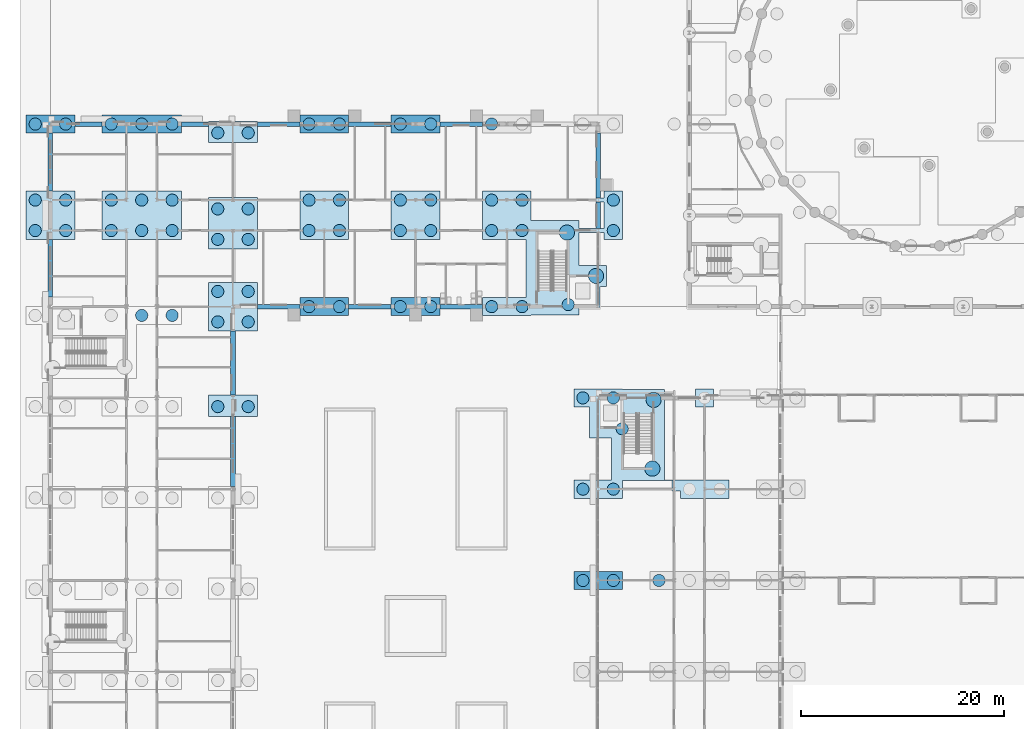
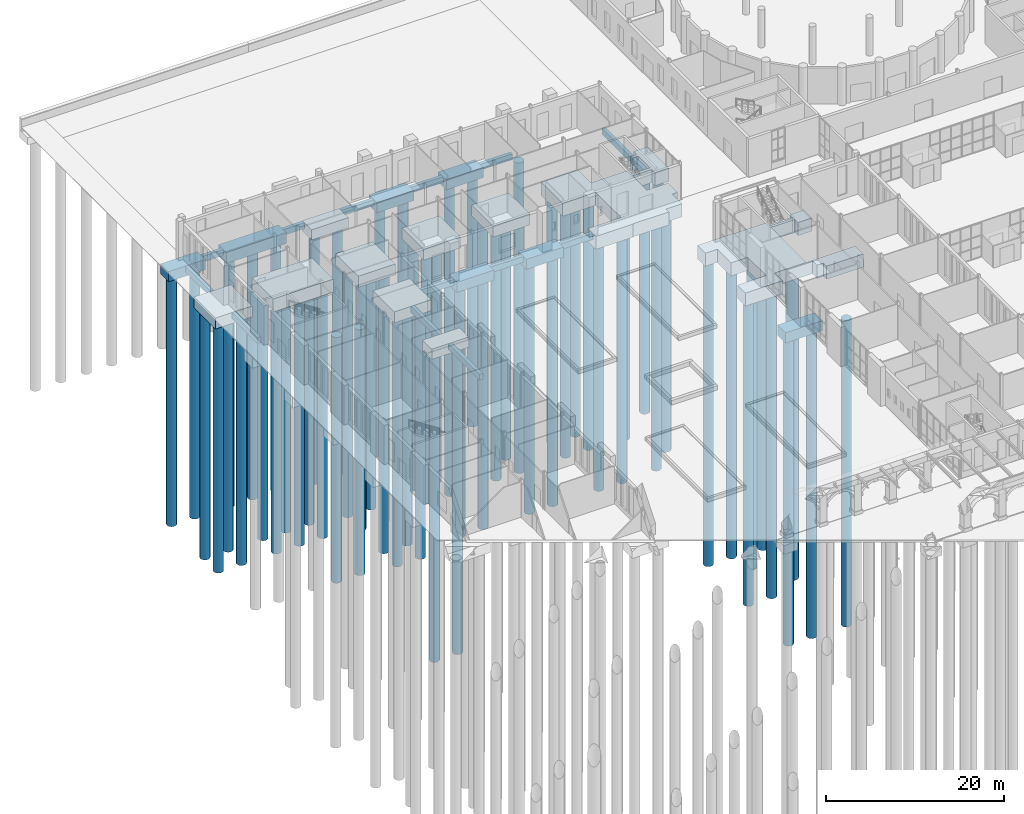
# One storey, part 4 of 168: 67 piles, 31 footings.
"""IFC4 building model written with IfcOpenShell, lengths in metres."""

from ifc_helpers import new_model, si_unit, direction, frame, origin, origin_2d, place, context, subcontext, project, spatial, polyline, circle, outline, extrude, material, material_profile, profile_set, type_object, element, save


model = new_model("IFC4")

# Units and contexts
model_context = context("Model", 3, precision=1e-05, world=origin(), true_north=direction((0.0, 1.0)))
body_context = subcontext(model_context, "Body", "Model", "MODEL_VIEW")
ifc_project = project(units=[si_unit("LENGTHUNIT", "METRE"), si_unit("AREAUNIT", "SQUARE_METRE"), si_unit("VOLUMEUNIT", "CUBIC_METRE"), si_unit("PLANEANGLEUNIT", "RADIAN"), si_unit("MASSUNIT", "GRAM", prefix="KILO")], contexts=[model_context])

# Site, building, storey
site_placement = place(None, origin())
site = spatial("IfcSite", under=ifc_project, at=site_placement, CompositionType="ELEMENT")
building_placement = place(site_placement, origin())
building = spatial("IfcBuilding", under=site, at=building_placement, Name="Golden Quay Civic Hall", CompositionType="ELEMENT")
storey_placement = place(building_placement, origin())
storey = spatial("IfcBuildingStorey", under=building, at=storey_placement, Name="L00", CompositionType="ELEMENT", Elevation=0.0)

# Piles
ifc_material_1 = material(Name="Concrete C40/50", Category="concrete")
ifc_material_profile_1 = material_profile(ifc_material_1, circle(Radius=0.60009765625, at=origin_2d()), Name="RC D1200")
ifc_profile_set_1 = profile_set([ifc_material_profile_1], Name="Concrete C40/50")
pile_type_1 = type_object("IfcPileType", Name="Bored pile 1200", PredefinedType="BORED", material=ifc_profile_set_1)
for number, where, z_axis, x_axis, name in (
    (1, (9.0, 62.134033203125, -2.300048828125), (0.0, 0.0, -1.0), (1.0, 0.0, 0.0), "PL1 bored pile"),
    (2, (12.0, 62.134033203125, -2.300048828125), (0.0, 0.0, -1.0), (1.0, 0.0, 0.0), "PL1 bored pile"),
):
    element("IfcPile", number, at=place(storey_placement, frame(where, z_axis=z_axis, x_axis=x_axis)), inside=storey, type_object=pile_type_1, Name=name, PredefinedType="BORED", context=body_context, shape_type="SweptSolid", body=[
        extrude(circle(Radius=0.60009765625, at=origin_2d()), origin(), (0.0, 0.0, 1.0), 33.699951171875),
    ])
for number, where, z_axis, x_axis, name in (
    (3, (-1.5, 70.5, -2.0), (0.0, 0.0, -1.0), (1.0, 0.0, 0.0), "PL1 bored pile"),
    (4, (-1.5, 73.5, -2.0), (0.0, 0.0, -1.0), (1.0, 0.0, 0.0), "PL1 bored pile"),
    (5, (1.5, 70.5, -2.0), (0.0, 0.0, -1.0), (1.0, 0.0, 0.0), "PL1 bored pile"),
    (6, (1.5, 73.5, -2.0), (0.0, 0.0, -1.0), (1.0, 0.0, 0.0), "PL1 bored pile"),
):
    element("IfcPile", number, at=place(storey_placement, frame(where, z_axis=z_axis, x_axis=x_axis)), inside=storey, type_object=pile_type_1, Name=name, PredefinedType="BORED", context=body_context, shape_type="SweptSolid", body=[
        extrude(circle(Radius=0.60009765625, at=origin_2d()), origin(), (0.0, 0.0, 1.0), 34.0),
    ])
for number, where, z_axis, x_axis, name in (
    (7, (-1.5, 81.0, -1.89990234375), (0.0, 0.0, -1.0), (1.0, 0.0, 0.0), "PL1 bored pile"),
    (8, (1.5, 81.0, -1.89990234375), (0.0, 0.0, -1.0), (1.0, 0.0, 0.0), "PL1 bored pile"),
):
    element("IfcPile", number, at=place(storey_placement, frame(where, z_axis=z_axis, x_axis=x_axis)), inside=storey, type_object=pile_type_1, Name=name, PredefinedType="BORED", context=body_context, shape_type="SweptSolid", body=[
        extrude(circle(Radius=0.60009765625, at=origin_2d()), origin(), (0.0, 0.0, 1.0), 34.10009765625),
    ])
for number, where, z_axis, x_axis, name in (
    (9, (6.0, 70.5, -2.300048828125), (0.0, 0.0, -1.0), (1.0, 0.0, 0.0), "PL1 bored pile"),
    (10, (6.0, 73.5, -2.300048828125), (0.0, 0.0, -1.0), (1.0, 0.0, 0.0), "PL1 bored pile"),
    (11, (9.0, 70.5, -2.300048828125), (0.0, 0.0, -1.0), (1.0, 0.0, 0.0), "PL1 bored pile"),
    (12, (9.0, 73.5, -2.300048828125), (0.0, 0.0, -1.0), (1.0, 0.0, 0.0), "PL1 bored pile"),
    (13, (12.0, 70.5, -2.300048828125), (0.0, 0.0, -1.0), (1.0, 0.0, 0.0), "PL1 bored pile"),
    (14, (12.0, 73.5, -2.300048828125), (0.0, 0.0, -1.0), (1.0, 0.0, 0.0), "PL1 bored pile"),
):
    element("IfcPile", number, at=place(storey_placement, frame(where, z_axis=z_axis, x_axis=x_axis)), inside=storey, type_object=pile_type_1, Name=name, PredefinedType="BORED", context=body_context, shape_type="SweptSolid", body=[
        extrude(circle(Radius=0.60009765625, at=origin_2d()), origin(), (0.0, 0.0, 1.0), 33.699951171875),
    ])
for number, where, z_axis, x_axis, name in (
    (15, (6.0, 81.0, -2.0), (0.0, 0.0, -1.0), (1.0, 0.0, 0.0), "PL1 bored pile"),
    (16, (9.0, 81.0, -2.0), (0.0, 0.0, -1.0), (1.0, 0.0, 0.0), "PL1 bored pile"),
    (17, (12.0, 81.0, -2.0), (0.0, 0.0, -1.0), (1.0, 0.0, 0.0), "PL1 bored pile"),
):
    element("IfcPile", number, at=place(storey_placement, frame(where, z_axis=z_axis, x_axis=x_axis)), inside=storey, type_object=pile_type_1, Name=name, PredefinedType="BORED", context=body_context, shape_type="SweptSolid", body=[
        extrude(circle(Radius=0.60009765625, at=origin_2d()), origin(), (0.0, 0.0, 1.0), 34.0),
    ])
for number, where, z_axis, x_axis, name in (
    (18, (16.5, 53.134033203125, -1.89990234375), (0.0, 0.0, -1.0), (1.0, 0.0, 0.0), "PL1 bored pile"),
    (19, (19.5, 53.134033203125, -1.89990234375), (0.0, 0.0, -1.0), (1.0, 0.0, 0.0), "PL1 bored pile"),
):
    element("IfcPile", number, at=place(storey_placement, frame(where, z_axis=z_axis, x_axis=x_axis)), inside=storey, type_object=pile_type_1, Name=name, PredefinedType="BORED", context=body_context, shape_type="SweptSolid", body=[
        extrude(circle(Radius=0.60009765625, at=origin_2d()), origin(), (0.0, 0.0, 1.0), 42.10009765625),
    ])
for number, where, z_axis, x_axis, name in (
    (20, (16.5, 61.5, -2.0), (0.0, 0.0, -1.0), (1.0, 0.0, 0.0), "PL1 bored pile"),
    (21, (16.5, 64.5, -2.0), (0.0, 0.0, -1.0), (1.0, 0.0, 0.0), "PL1 bored pile"),
    (22, (19.5, 61.5, -2.0), (0.0, 0.0, -1.0), (1.0, 0.0, 0.0), "PL1 bored pile"),
    (23, (19.5, 64.5, -2.0), (0.0, 0.0, -1.0), (1.0, 0.0, 0.0), "PL1 bored pile"),
    (24, (16.5, 69.634033203125, -2.0), (0.0, 0.0, -1.0), (1.0, 0.0, 0.0), "PL1 bored pile"),
    (25, (16.5, 72.634033203125, -2.0), (0.0, 0.0, -1.0), (1.0, 0.0, 0.0), "PL1 bored pile"),
    (26, (19.5, 69.634033203125, -2.0), (0.0, 0.0, -1.0), (1.0, 0.0, 0.0), "PL1 bored pile"),
    (27, (19.5, 72.634033203125, -2.0), (0.0, 0.0, -1.0), (1.0, 0.0, 0.0), "PL1 bored pile"),
):
    element("IfcPile", number, at=place(storey_placement, frame(where, z_axis=z_axis, x_axis=x_axis)), inside=storey, type_object=pile_type_1, Name=name, PredefinedType="BORED", context=body_context, shape_type="SweptSolid", body=[
        extrude(circle(Radius=0.60009765625, at=origin_2d()), origin(), (0.0, 0.0, 1.0), 34.0),
    ])
for number, where, z_axis, x_axis, name in (
    (28, (16.5, 80.134033203125, -1.89990234375), (0.0, 0.0, -1.0), (1.0, 0.0, 0.0), "PL1 bored pile"),
    (29, (19.5, 80.134033203125, -1.89990234375), (0.0, 0.0, -1.0), (1.0, 0.0, 0.0), "PL1 bored pile"),
    (30, (25.5, 63.0, -1.89990234375), (0.0, 0.0, -1.0), (1.0, 0.0, 0.0), "PL1 bored pile"),
    (31, (28.5, 63.0, -1.89990234375), (0.0, 0.0, -1.0), (1.0, 0.0, 0.0), "PL1 bored pile"),
):
    element("IfcPile", number, at=place(storey_placement, frame(where, z_axis=z_axis, x_axis=x_axis)), inside=storey, type_object=pile_type_1, Name=name, PredefinedType="BORED", context=body_context, shape_type="SweptSolid", body=[
        extrude(circle(Radius=0.60009765625, at=origin_2d()), origin(), (0.0, 0.0, 1.0), 34.10009765625),
    ])
for number, where, z_axis, x_axis, name in (
    (32, (25.5, 70.5, -2.0), (0.0, 0.0, -1.0), (1.0, 0.0, 0.0), "PL1 bored pile"),
    (33, (25.5, 73.5, -2.0), (0.0, 0.0, -1.0), (1.0, 0.0, 0.0), "PL1 bored pile"),
    (34, (28.5, 70.5, -2.0), (0.0, 0.0, -1.0), (1.0, 0.0, 0.0), "PL1 bored pile"),
    (35, (28.5, 73.5, -2.0), (0.0, 0.0, -1.0), (1.0, 0.0, 0.0), "PL1 bored pile"),
):
    element("IfcPile", number, at=place(storey_placement, frame(where, z_axis=z_axis, x_axis=x_axis)), inside=storey, type_object=pile_type_1, Name=name, PredefinedType="BORED", context=body_context, shape_type="SweptSolid", body=[
        extrude(circle(Radius=0.60009765625, at=origin_2d()), origin(), (0.0, 0.0, 1.0), 34.0),
    ])
for number, where, z_axis, x_axis, name in (
    (36, (25.5, 81.0, -1.89990234375), (0.0, 0.0, -1.0), (1.0, 0.0, 0.0), "PL1 bored pile"),
    (37, (28.5, 81.0, -1.89990234375), (0.0, 0.0, -1.0), (1.0, 0.0, 0.0), "PL1 bored pile"),
    (38, (34.5, 63.0, -1.89990234375), (0.0, 0.0, -1.0), (1.0, 0.0, 0.0), "PL1 bored pile"),
    (39, (37.5, 63.0, -1.89990234375), (0.0, 0.0, -1.0), (1.0, 0.0, 0.0), "PL1 bored pile"),
):
    element("IfcPile", number, at=place(storey_placement, frame(where, z_axis=z_axis, x_axis=x_axis)), inside=storey, type_object=pile_type_1, Name=name, PredefinedType="BORED", context=body_context, shape_type="SweptSolid", body=[
        extrude(circle(Radius=0.60009765625, at=origin_2d()), origin(), (0.0, 0.0, 1.0), 34.10009765625),
    ])
for number, where, z_axis, x_axis, name in (
    (40, (34.5, 70.5, -2.0), (0.0, 0.0, -1.0), (1.0, 0.0, 0.0), "PL1 bored pile"),
    (41, (34.5, 73.5, -2.0), (0.0, 0.0, -1.0), (1.0, 0.0, 0.0), "PL1 bored pile"),
    (42, (37.5, 70.5, -2.0), (0.0, 0.0, -1.0), (1.0, 0.0, 0.0), "PL1 bored pile"),
    (43, (37.5, 73.5, -2.0), (0.0, 0.0, -1.0), (1.0, 0.0, 0.0), "PL1 bored pile"),
):
    element("IfcPile", number, at=place(storey_placement, frame(where, z_axis=z_axis, x_axis=x_axis)), inside=storey, type_object=pile_type_1, Name=name, PredefinedType="BORED", context=body_context, shape_type="SweptSolid", body=[
        extrude(circle(Radius=0.60009765625, at=origin_2d()), origin(), (0.0, 0.0, 1.0), 34.0),
    ])
for number, where, z_axis, x_axis, name in (
    (44, (34.5, 81.0, -1.89990234375), (0.0, 0.0, -1.0), (1.0, 0.0, 0.0), "PL1 bored pile"),
    (45, (37.5, 81.0, -1.89990234375), (0.0, 0.0, -1.0), (1.0, 0.0, 0.0), "PL1 bored pile"),
):
    element("IfcPile", number, at=place(storey_placement, frame(where, z_axis=z_axis, x_axis=x_axis)), inside=storey, type_object=pile_type_1, Name=name, PredefinedType="BORED", context=body_context, shape_type="SweptSolid", body=[
        extrude(circle(Radius=0.60009765625, at=origin_2d()), origin(), (0.0, 0.0, 1.0), 34.10009765625),
    ])
for number, where, z_axis, x_axis, name in (
    (46, (43.5, 63.0, -2.300048828125), (0.0, 0.0, -1.0), (1.0, 0.0, 0.0), "PL1 bored pile"),
    (47, (43.5, 70.5, -2.300048828125), (0.0, 0.0, -1.0), (1.0, 0.0, 0.0), "PL1 bored pile"),
    (48, (43.5, 73.5, -2.300048828125), (0.0, 0.0, -1.0), (1.0, 0.0, 0.0), "PL1 bored pile"),
    (49, (46.5, 63.0, -2.300048828125), (0.0, 0.0, -1.0), (1.0, 0.0, 0.0), "PL1 bored pile"),
    (50, (46.5, 70.5, -2.300048828125), (0.0, 0.0, -1.0), (1.0, 0.0, 0.0), "PL1 bored pile"),
    (51, (46.5, 73.5, -2.300048828125), (0.0, 0.0, -1.0), (1.0, 0.0, 0.0), "PL1 bored pile"),
    (52, (51.050048828125, 63.199951171875, -2.300048828125), (0.0, 0.0, -1.0), (1.0, 0.0, 0.0), "PL1 bored pile"),
    (53, (55.5, 70.5, -2.300048828125), (0.0, 0.0, -1.0), (1.0, 0.0, 0.0), "PL1 bored pile"),
    (54, (55.5, 73.5, -2.300048828125), (0.0, 0.0, -1.0), (1.0, 0.0, 0.0), "PL1 bored pile"),
):
    element("IfcPile", number, at=place(storey_placement, frame(where, z_axis=z_axis, x_axis=x_axis)), inside=storey, type_object=pile_type_1, Name=name, PredefinedType="BORED", context=body_context, shape_type="SweptSolid", body=[
        extrude(circle(Radius=0.60009765625, at=origin_2d()), origin(), (0.0, 0.0, 1.0), 33.699951171875),
    ])
pile_1_placement = place(storey_placement, frame((43.5, 81.0, -1.89990234375), z_axis=(0.0, 0.0, -1.0), x_axis=(1.0, 0.0, 0.0)))
element("IfcPile", 55, at=pile_1_placement, inside=storey, type_object=pile_type_1, Name="PL1 bored pile", PredefinedType="BORED", context=body_context, shape_type="SweptSolid", body=[
    extrude(circle(Radius=0.60009765625, at=origin_2d()), origin(), (0.0, 0.0, 1.0), 34.10009765625),
])
for number, where, z_axis, x_axis, name in (
    (56, (52.5, 36.0, -1.89990234375), (0.0, 0.0, -1.0), (1.0, 0.0, 0.0), "PL1 bored pile"),
    (57, (55.5, 36.0, -1.89990234375), (0.0, 0.0, -1.0), (1.0, 0.0, 0.0), "PL1 bored pile"),
):
    element("IfcPile", number, at=place(storey_placement, frame(where, z_axis=z_axis, x_axis=x_axis)), inside=storey, type_object=pile_type_1, Name=name, PredefinedType="BORED", context=body_context, shape_type="SweptSolid", body=[
        extrude(circle(Radius=0.60009765625, at=origin_2d()), origin(), (0.0, 0.0, 1.0), 42.10009765625),
    ])
for number, where, z_axis, x_axis, name in (
    (58, (52.5, 45.0, -2.300048828125), (0.0, 0.0, -1.0), (1.0, 0.0, 0.0), "PL1 bored pile"),
    (59, (52.5, 54.0, -2.300048828125), (0.0, 0.0, -1.0), (1.0, 0.0, 0.0), "PL1 bored pile"),
    (60, (55.5, 45.0, -2.300048828125), (0.0, 0.0, -1.0), (1.0, 0.0, 0.0), "PL1 bored pile"),
    (61, (55.5, 54.0, -2.300048828125), (0.0, 0.0, -1.0), (1.0, 0.0, 0.0), "PL1 bored pile"),
    (62, (56.375, 50.949951171875, -2.300048828125), (0.0, 0.0, -1.0), (1.0, 0.0, 0.0), "PL1 bored pile"),
):
    element("IfcPile", number, at=place(storey_placement, frame(where, z_axis=z_axis, x_axis=x_axis)), inside=storey, type_object=pile_type_1, Name=name, PredefinedType="BORED", context=body_context, shape_type="SweptSolid", body=[
        extrude(circle(Radius=0.60009765625, at=origin_2d()), origin(), (0.0, 0.0, 1.0), 41.699951171875),
    ])
pile_2_placement = place(storey_placement, frame((60.0, 36.0, -2.0), z_axis=(0.0, 0.0, -1.0), x_axis=(1.0, 0.0, 0.0)))
element("IfcPile", 63, at=pile_2_placement, inside=storey, type_object=pile_type_1, Name="PL1 bored pile", PredefinedType="BORED", context=body_context, shape_type="SweptSolid", body=[
    extrude(circle(Radius=0.60009765625, at=origin_2d()), origin(), (0.0, 0.0, 1.0), 42.0),
])
ifc_material_2 = material(Name="Concrete C40/50", Category="concrete")
ifc_material_profile_2 = material_profile(ifc_material_2, circle(Radius=0.75, at=origin_2d()), Name="RC D1500")
ifc_profile_set_2 = profile_set([ifc_material_profile_2], Name="Concrete C40/50")
pile_type_2 = type_object("IfcPileType", Name="Bored pile 1500", PredefinedType="BORED", material=ifc_profile_set_2)
for number, where, z_axis, x_axis, name in (
    (64, (50.925048828125, 70.300048828125, -2.300048828125), (0.0, 0.0, -1.0), (1.0, 0.0, 0.0), "PL2 bored pile"),
    (65, (53.800048828125, 66.02490234375, -2.300048828125), (0.0, 0.0, -1.0), (1.0, 0.0, 0.0), "PL2 bored pile"),
):
    element("IfcPile", number, at=place(storey_placement, frame(where, z_axis=z_axis, x_axis=x_axis)), inside=storey, type_object=pile_type_2, Name=name, PredefinedType="BORED", context=body_context, shape_type="SweptSolid", body=[
        extrude(circle(Radius=0.75, at=origin_2d()), origin(), (0.0, 0.0, 1.0), 33.699951171875),
    ])
for number, where, z_axis, x_axis, name in (
    (66, (59.35009765625, 47.02490234375, -2.300048828125), (0.0, 0.0, -1.0), (1.0, 0.0, 0.0), "PL2 bored pile"),
    (67, (59.47509765625, 53.800048828125, -2.300048828125), (0.0, 0.0, -1.0), (1.0, 0.0, 0.0), "PL2 bored pile"),
):
    element("IfcPile", number, at=place(storey_placement, frame(where, z_axis=z_axis, x_axis=x_axis)), inside=storey, type_object=pile_type_2, Name=name, PredefinedType="BORED", context=body_context, shape_type="SweptSolid", body=[
        extrude(circle(Radius=0.75, at=origin_2d()), origin(), (0.0, 0.0, 1.0), 41.699951171875),
    ])

# Footings
ifc_material_3 = material(Name="Concrete C40/50", Category="concrete")
footing_type_1 = type_object("IfcFootingType", Name="Ground beam 450 x 800", PredefinedType="FOOTING_BEAM", material=ifc_material_3)
footing_1_placement = place(storey_placement, frame((0.0, 0.0, -1.39990234375)))
element("IfcFooting", 68, at=footing_1_placement, inside=storey, type_object=footing_type_1, Name="F15 ground beam", PredefinedType="FOOTING_BEAM", context=body_context, shape_type="SweptSolid", body=[
    extrude(outline(polyline([(54.22509765625, 70.699951171875), (53.77490234375, 70.699951171875), (53.77490234375, 73.300048828125), (54.22509765625, 73.300048828125), (54.22509765625, 70.699951171875)])), origin(), (0.0, 0.0, 1.0), 0.7998046875),
])
footing_2_placement = place(storey_placement, frame((0.0, 0.0, -1.39990234375)))
element("IfcFooting", 69, at=footing_2_placement, inside=storey, type_object=footing_type_1, Name="F15 ground beam", PredefinedType="FOOTING_BEAM", context=body_context, shape_type="SweptSolid", body=[
    extrude(outline(polyline([(54.22509765625, 73.699951171875), (53.77490234375, 73.699951171875), (53.77490234375, 80.10009765625), (54.22509765625, 80.10009765625), (54.22509765625, 73.699951171875)])), origin(), (0.0, 0.0, 1.0), 0.7998046875),
])
footing_3_placement = place(storey_placement, frame((0.0, 0.0, -1.39990234375)))
element("IfcFooting", 70, at=footing_3_placement, inside=storey, type_object=footing_type_1, Name="F15 ground beam", PredefinedType="FOOTING_BEAM", context=body_context, shape_type="SweptSolid", body=[
    extrude(outline(polyline([(24.60009765625, 81.22509765625), (24.60009765625, 80.77490234375), (20.39990234375, 80.77490234375), (20.39990234375, 81.22509765625), (24.60009765625, 81.22509765625)])), origin(), (0.0, 0.0, 1.0), 0.7998046875),
])
footing_4_placement = place(storey_placement, frame((0.0, 0.0, -1.39990234375)))
element("IfcFooting", 71, at=footing_4_placement, inside=storey, type_object=footing_type_1, Name="F15 ground beam", PredefinedType="FOOTING_BEAM", context=body_context, shape_type="SweptSolid", body=[
    extrude(outline(polyline([(33.60009765625, 81.22509765625), (33.60009765625, 80.77490234375), (29.39990234375, 80.77490234375), (29.39990234375, 81.22509765625), (33.60009765625, 81.22509765625)])), origin(), (0.0, 0.0, 1.0), 0.7998046875),
])
footing_5_placement = place(storey_placement, frame((0.0, 0.0, -1.39990234375)))
element("IfcFooting", 72, at=footing_5_placement, inside=storey, type_object=footing_type_1, Name="F15 ground beam", PredefinedType="FOOTING_BEAM", context=body_context, shape_type="SweptSolid", body=[
    extrude(outline(polyline([(42.60009765625, 81.22509765625), (42.60009765625, 80.77490234375), (38.39990234375, 80.77490234375), (38.39990234375, 81.22509765625), (42.60009765625, 81.22509765625)])), origin(), (0.0, 0.0, 1.0), 0.7998046875),
])
footing_6_placement = place(storey_placement, frame((0.0, 0.0, -1.39990234375)))
element("IfcFooting", 73, at=footing_6_placement, inside=storey, type_object=footing_type_1, Name="F15 ground beam", PredefinedType="FOOTING_BEAM", context=body_context, shape_type="SweptSolid", body=[
    extrude(outline(polyline([(20.39990234375, 62.77490234375), (20.39990234375, 63.22509765625), (24.60009765625, 63.22509765625), (24.60009765625, 62.77490234375), (20.39990234375, 62.77490234375)])), origin(), (0.0, 0.0, 1.0), 0.7998046875),
])
footing_7_placement = place(storey_placement, frame((0.0, 0.0, -1.39990234375)))
element("IfcFooting", 74, at=footing_7_placement, inside=storey, type_object=footing_type_1, Name="F15 ground beam", PredefinedType="FOOTING_BEAM", context=body_context, shape_type="SweptSolid", body=[
    extrude(outline(polyline([(29.39990234375, 62.77490234375), (29.39990234375, 63.22509765625), (33.60009765625, 63.22509765625), (33.60009765625, 62.77490234375), (29.39990234375, 62.77490234375)])), origin(), (0.0, 0.0, 1.0), 0.7998046875),
])
footing_8_placement = place(storey_placement, frame((0.0, 0.0, -1.39990234375)))
element("IfcFooting", 75, at=footing_8_placement, inside=storey, type_object=footing_type_1, Name="F15 ground beam", PredefinedType="FOOTING_BEAM", context=body_context, shape_type="SweptSolid", body=[
    extrude(outline(polyline([(38.39990234375, 62.77490234375), (38.39990234375, 63.22509765625), (42.60009765625, 63.22509765625), (42.60009765625, 62.77490234375), (38.39990234375, 62.77490234375)])), origin(), (0.0, 0.0, 1.0), 0.7998046875),
])
footing_9_placement = place(storey_placement, frame((0.0, 0.0, -1.39990234375)))
element("IfcFooting", 76, at=footing_9_placement, inside=storey, type_object=footing_type_1, Name="F15 ground beam", PredefinedType="FOOTING_BEAM", context=body_context, shape_type="SweptSolid", body=[
    extrude(outline(polyline([(18.22509765625, 45.26708984375), (17.77490234375, 45.26708984375), (17.77490234375, 52.1669921875), (18.22509765625, 52.1669921875), (18.22509765625, 45.26708984375)])), origin(), (0.0, 0.0, 1.0), 0.7998046875),
])
footing_10_placement = place(storey_placement, frame((0.0, 0.0, -1.39990234375)))
element("IfcFooting", 77, at=footing_10_placement, inside=storey, type_object=footing_type_1, Name="F15 ground beam", PredefinedType="FOOTING_BEAM", context=body_context, shape_type="SweptSolid", body=[
    extrude(outline(polyline([(18.22509765625, 54.26708984375), (17.77490234375, 54.26708984375), (17.77490234375, 60.60009765625), (18.22509765625, 60.60009765625), (18.22509765625, 54.26708984375)])), origin(), (0.0, 0.0, 1.0), 0.7998046875),
])
footing_11_placement = place(storey_placement, frame((0.0, 0.0, -1.39990234375)))
element("IfcFooting", 78, at=footing_11_placement, inside=storey, type_object=footing_type_1, Name="F15 ground beam", PredefinedType="FOOTING_BEAM", context=body_context, shape_type="SweptSolid", body=[
    extrude(outline(polyline([(5.10009765625, 81.22509765625), (5.10009765625, 80.77490234375), (2.39990234375, 80.77490234375), (2.39990234375, 81.22509765625), (5.10009765625, 81.22509765625)])), origin(), (0.0, 0.0, 1.0), 0.7998046875),
])
footing_12_placement = place(storey_placement, frame((0.0, 0.0, -1.39990234375)))
element("IfcFooting", 79, at=footing_12_placement, inside=storey, type_object=footing_type_1, Name="F15 ground beam", PredefinedType="FOOTING_BEAM", context=body_context, shape_type="SweptSolid", body=[
    extrude(outline(polyline([(15.60009765625, 81.22509765625), (15.60009765625, 80.77490234375), (12.89990234375, 80.77490234375), (12.89990234375, 81.22509765625), (15.60009765625, 81.22509765625)])), origin(), (0.0, 0.0, 1.0), 0.7998046875),
])
footing_13_placement = place(storey_placement, frame((0.0, 0.0, -1.39990234375)))
element("IfcFooting", 80, at=footing_13_placement, inside=storey, type_object=footing_type_1, Name="F15 ground beam", PredefinedType="FOOTING_BEAM", context=body_context, shape_type="SweptSolid", body=[
    extrude(outline(polyline([(-0.22509765625, 69.60009765625), (0.22509765625, 69.60009765625), (0.22509765625, 63.949951171875), (-0.22509765625, 63.949951171875), (-0.22509765625, 69.60009765625)])), origin(), (0.0, 0.0, 1.0), 0.7998046875),
])
footing_14_placement = place(storey_placement, frame((0.0, 0.0, -1.39990234375)))
element("IfcFooting", 81, at=footing_14_placement, inside=storey, type_object=footing_type_1, Name="F15 ground beam", PredefinedType="FOOTING_BEAM", context=body_context, shape_type="SweptSolid", body=[
    extrude(outline(polyline([(-0.22509765625, 80.10009765625), (0.22509765625, 80.10009765625), (0.22509765625, 74.39990234375), (-0.22509765625, 74.39990234375), (-0.22509765625, 80.10009765625)])), origin(), (0.0, 0.0, 1.0), 0.7998046875),
])
ifc_material_4 = material(Name="Concrete C40/50", Category="concrete")
footing_type_2 = type_object("IfcFootingType", Name="Pile cap 2 piles 4800 x 1800 x 1400", PredefinedType="PILE_CAP", material=ifc_material_4)
footing_15_placement = place(storey_placement, frame((0.0, 0.0, -2.0)))
element("IfcFooting", 82, at=footing_15_placement, inside=storey, type_object=footing_type_2, Name="F4 pile cap", PredefinedType="PILE_CAP", context=body_context, shape_type="SweptSolid", body=[
    extrude(outline(polyline([(2.39990234375, 80.10009765625), (2.39990234375, 81.89990234375), (-2.39990234375, 81.89990234375), (-2.39990234375, 80.10009765625), (2.39990234375, 80.10009765625)])), origin(), (0.0, 0.0, 1.0), 1.39990234375),
])
footing_16_placement = place(storey_placement, frame((0.0, 0.0, -2.0)))
element("IfcFooting", 83, at=footing_16_placement, inside=storey, type_object=footing_type_2, Name="F4 pile cap", PredefinedType="PILE_CAP", context=body_context, shape_type="SweptSolid", body=[
    extrude(outline(polyline([(29.39990234375, 62.10009765625), (29.39990234375, 63.89990234375), (24.60009765625, 63.89990234375), (24.60009765625, 62.10009765625), (29.39990234375, 62.10009765625)])), origin(), (0.0, 0.0, 1.0), 1.39990234375),
])
footing_17_placement = place(storey_placement, frame((0.0, 0.0, -2.0)))
element("IfcFooting", 84, at=footing_17_placement, inside=storey, type_object=footing_type_2, Name="F4 pile cap", PredefinedType="PILE_CAP", context=body_context, shape_type="SweptSolid", body=[
    extrude(outline(polyline([(29.39990234375, 80.10009765625), (29.39990234375, 81.89990234375), (24.60009765625, 81.89990234375), (24.60009765625, 80.10009765625), (29.39990234375, 80.10009765625)])), origin(), (0.0, 0.0, 1.0), 1.39990234375),
])
footing_18_placement = place(storey_placement, frame((0.0, 0.0, -2.0)))
element("IfcFooting", 85, at=footing_18_placement, inside=storey, type_object=footing_type_2, Name="F4 pile cap", PredefinedType="PILE_CAP", context=body_context, shape_type="SweptSolid", body=[
    extrude(outline(polyline([(38.39990234375, 62.10009765625), (38.39990234375, 63.89990234375), (33.60009765625, 63.89990234375), (33.60009765625, 62.10009765625), (38.39990234375, 62.10009765625)])), origin(), (0.0, 0.0, 1.0), 1.39990234375),
])
footing_19_placement = place(storey_placement, frame((0.0, 0.0, -2.0)))
element("IfcFooting", 86, at=footing_19_placement, inside=storey, type_object=footing_type_2, Name="F4 pile cap", PredefinedType="PILE_CAP", context=body_context, shape_type="SweptSolid", body=[
    extrude(outline(polyline([(38.39990234375, 80.10009765625), (38.39990234375, 81.89990234375), (33.60009765625, 81.89990234375), (33.60009765625, 80.10009765625), (38.39990234375, 80.10009765625)])), origin(), (0.0, 0.0, 1.0), 1.39990234375),
])
footing_20_placement = place(storey_placement, frame((0.0, 0.0, -2.0)))
element("IfcFooting", 87, at=footing_20_placement, inside=storey, type_object=footing_type_2, Name="F4 pile cap", PredefinedType="PILE_CAP", context=body_context, shape_type="SweptSolid", body=[
    extrude(outline(polyline([(56.39990234375, 35.10009765625), (56.39990234375, 36.89990234375), (51.60009765625, 36.89990234375), (51.60009765625, 35.10009765625), (56.39990234375, 35.10009765625)])), origin(), (0.0, 0.0, 1.0), 1.39990234375),
])
ifc_material_5 = material(Name="Concrete C40/50", Category="concrete")
footing_type_3 = type_object("IfcFootingType", Name="Pile cap 2 piles 4800 x 2100 x 1400", PredefinedType="PILE_CAP", material=ifc_material_5)
footing_21_placement = place(storey_placement, frame((0.0, 0.0, -2.0)))
element("IfcFooting", 88, at=footing_21_placement, inside=storey, type_object=footing_type_3, Name="F2 pile cap", PredefinedType="PILE_CAP", context=body_context, shape_type="SweptSolid", body=[
    extrude(outline(polyline([(20.39990234375, 52.1669921875), (20.39990234375, 54.26708984375), (15.60009765625, 54.26708984375), (15.60009765625, 52.1669921875), (20.39990234375, 52.1669921875)])), origin(), (0.0, 0.0, 1.0), 1.39990234375),
])
footing_22_placement = place(storey_placement, frame((0.0, 0.0, -2.0)))
element("IfcFooting", 89, at=footing_22_placement, inside=storey, type_object=footing_type_3, Name="F2 pile cap", PredefinedType="PILE_CAP", context=body_context, shape_type="SweptSolid", body=[
    extrude(outline(polyline([(20.39990234375, 79.1669921875), (20.39990234375, 81.26708984375), (15.60009765625, 81.26708984375), (15.60009765625, 79.1669921875), (20.39990234375, 79.1669921875)])), origin(), (0.0, 0.0, 1.0), 1.39990234375),
])
ifc_material_6 = material(Name="Concrete C40/50", Category="concrete")
footing_type_4 = type_object("IfcFootingType", Name="Pile cap 3 piles 7800 x 1800 x 1500", PredefinedType="PILE_CAP", material=ifc_material_6)
footing_23_placement = place(storey_placement, frame((0.0, 0.0, -2.10009765625)))
element("IfcFooting", 90, at=footing_23_placement, inside=storey, type_object=footing_type_4, Name="F7 pile cap", PredefinedType="PILE_CAP", context=body_context, shape_type="SweptSolid", body=[
    extrude(outline(polyline([(12.89990234375, 80.10009765625), (12.89990234375, 81.89990234375), (5.10009765625, 81.89990234375), (5.10009765625, 80.10009765625), (12.89990234375, 80.10009765625)])), origin(), (0.0, 0.0, 1.0), 1.5),
])
ifc_material_7 = material(Name="Concrete C40/50", Category="concrete")
footing_type_5 = type_object("IfcFootingType", Name="Pile cap 4 piles 4800 x 4800 x 1500", PredefinedType="PILE_CAP", material=ifc_material_7)
footing_24_placement = place(storey_placement, frame((0.0, 0.0, -2.10009765625)))
element("IfcFooting", 91, at=footing_24_placement, inside=storey, type_object=footing_type_5, Name="F3 pile cap", PredefinedType="PILE_CAP", context=body_context, shape_type="SweptSolid", body=[
    extrude(outline(polyline([(2.39990234375, 69.60009765625), (2.39990234375, 74.39990234375), (-2.39990234375, 74.39990234375), (-2.39990234375, 69.60009765625), (2.39990234375, 69.60009765625)])), origin(), (0.0, 0.0, 1.0), 1.5),
])
footing_25_placement = place(storey_placement, frame((0.0, 0.0, -2.10009765625)))
element("IfcFooting", 92, at=footing_25_placement, inside=storey, type_object=footing_type_5, Name="F3 pile cap", PredefinedType="PILE_CAP", context=body_context, shape_type="SweptSolid", body=[
    extrude(outline(polyline([(20.39990234375, 60.60009765625), (20.39990234375, 65.39990234375), (15.60009765625, 65.39990234375), (15.60009765625, 60.60009765625), (20.39990234375, 60.60009765625)])), origin(), (0.0, 0.0, 1.0), 1.5),
])
footing_26_placement = place(storey_placement, frame((0.0, 0.0, -2.10009765625)))
element("IfcFooting", 93, at=footing_26_placement, inside=storey, type_object=footing_type_5, Name="F3 pile cap", PredefinedType="PILE_CAP", context=body_context, shape_type="SweptSolid", body=[
    extrude(outline(polyline([(29.39990234375, 69.60009765625), (29.39990234375, 74.39990234375), (24.60009765625, 74.39990234375), (24.60009765625, 69.60009765625), (29.39990234375, 69.60009765625)])), origin(), (0.0, 0.0, 1.0), 1.5),
])
footing_27_placement = place(storey_placement, frame((0.0, 0.0, -2.10009765625)))
element("IfcFooting", 94, at=footing_27_placement, inside=storey, type_object=footing_type_5, Name="F3 pile cap", PredefinedType="PILE_CAP", context=body_context, shape_type="SweptSolid", body=[
    extrude(outline(polyline([(38.39990234375, 69.60009765625), (38.39990234375, 74.39990234375), (33.60009765625, 74.39990234375), (33.60009765625, 69.60009765625), (38.39990234375, 69.60009765625)])), origin(), (0.0, 0.0, 1.0), 1.5),
])
ifc_material_8 = material(Name="Concrete C40/50", Category="concrete")
footing_type_6 = type_object("IfcFootingType", Name="Pile cap 4 piles 5100 x 4800 x 1500", PredefinedType="PILE_CAP", material=ifc_material_8)
footing_28_placement = place(storey_placement, frame((0.0, 0.0, -2.10009765625)))
element("IfcFooting", 95, at=footing_28_placement, inside=storey, type_object=footing_type_6, Name="F9 pile cap", PredefinedType="PILE_CAP", context=body_context, shape_type="SweptSolid", body=[
    extrude(outline(polyline([(20.39990234375, 68.6669921875), (20.39990234375, 73.76708984375), (15.60009765625, 73.76708984375), (15.60009765625, 68.6669921875), (20.39990234375, 68.6669921875)])), origin(), (0.0, 0.0, 1.0), 1.5),
])
ifc_material_9 = material(Name="Concrete C40/50", Category="concrete")
footing_type_7 = type_object("IfcFootingType", Name="Pile cap 6 piles 7800 x 4800 x 1800", PredefinedType="PILE_CAP", material=ifc_material_9)
footing_29_placement = place(storey_placement, frame((0.0, 0.0, -2.39990234375)))
element("IfcFooting", 96, at=footing_29_placement, inside=storey, type_object=footing_type_7, Name="F6 pile cap", PredefinedType="PILE_CAP", context=body_context, shape_type="SweptSolid", body=[
    extrude(outline(polyline([(12.89990234375, 69.60009765625), (12.89990234375, 74.39990234375), (5.10009765625, 74.39990234375), (5.10009765625, 69.60009765625), (12.89990234375, 69.60009765625)])), origin(), (0.0, 0.0, 1.0), 1.7998046875),
])
ifc_material_10 = material(Name="Concrete C40/50", Category="concrete")
footing_type_8 = type_object("IfcFootingType", Name="Pile raft 1800 deep on 1500 mm piles", PredefinedType="PILE_CAP", material=ifc_material_10)
footing_30_placement = place(storey_placement, frame((0.0, 0.0, -2.39990234375)))
element("IfcFooting", 97, at=footing_30_placement, inside=storey, type_object=footing_type_8, Name="F1 pile cap", PredefinedType="PILE_CAP", context=body_context, shape_type="SweptSolid", body=[
    extrude(outline(polyline([(42.60009765625, 69.60009765625), (42.60009765625, 74.39990234375), (47.39990234375, 74.39990234375), (47.39990234375, 71.47509765625), (52.10009765625, 71.47509765625), (52.10009765625, 70.699951171875), (54.60009765625, 70.699951171875), (54.60009765625, 73.300048828125), (53.800048828125, 73.300048828125), (53.800048828125, 73.699951171875), (54.60009765625, 73.699951171875), (54.60009765625, 74.39990234375), (56.39990234375, 74.39990234375), (56.39990234375, 69.60009765625), (54.60009765625, 69.60009765625), (54.60009765625, 70.300048828125), (52.10009765625, 70.300048828125), (52.10009765625, 67.074951171875), (54.85009765625, 67.074951171875), (54.85009765625, 64.97509765625), (54.199951171875, 64.97509765625), (54.199951171875, 62.800048828125), (52.10009765625, 62.800048828125), (52.10009765625, 62.14990234375), (47.39990234375, 62.14990234375), (47.39990234375, 62.10009765625), (42.60009765625, 62.10009765625), (42.60009765625, 63.89990234375), (46.89990234375, 63.89990234375), (46.89990234375, 69.60009765625), (42.60009765625, 69.60009765625)])), origin(), (0.0, 0.0, 1.0), 1.7998046875),
])
footing_31_placement = place(storey_placement, frame((0.0, 0.0, -2.39990234375)))
element("IfcFooting", 98, at=footing_31_placement, inside=storey, type_object=footing_type_8, Name="F1 pile cap", PredefinedType="PILE_CAP", context=body_context, shape_type="SweptSolid", body=[
    extrude(outline(polyline([(53.14990234375, 53.10009765625), (51.60009765625, 53.10009765625), (51.60009765625, 54.89990234375), (56.39990234375, 54.89990234375), (56.39990234375, 54.85009765625), (60.52490234375, 54.85009765625), (60.52490234375, 54.195068359375), (63.60009765625, 54.195068359375), (63.60009765625, 54.89990234375), (65.39990234375, 54.89990234375), (65.39990234375, 53.10009765625), (63.60009765625, 53.10009765625), (63.60009765625, 53.804931640625), (60.52490234375, 53.804931640625), (60.52490234375, 45.89990234375), (66.89990234375, 45.89990234375), (66.89990234375, 44.10009765625), (62.10009765625, 44.10009765625), (62.10009765625, 44.800048828125), (61.300048828125, 44.800048828125), (61.300048828125, 45.85009765625), (56.39990234375, 45.85009765625), (56.39990234375, 44.10009765625), (51.60009765625, 44.10009765625), (51.60009765625, 45.89990234375), (55.324951171875, 45.89990234375), (55.324951171875, 50.02490234375), (53.14990234375, 50.02490234375), (53.14990234375, 53.10009765625)])), origin(), (0.0, 0.0, 1.0), 1.7998046875),
])

save(model, "model.ifc")
